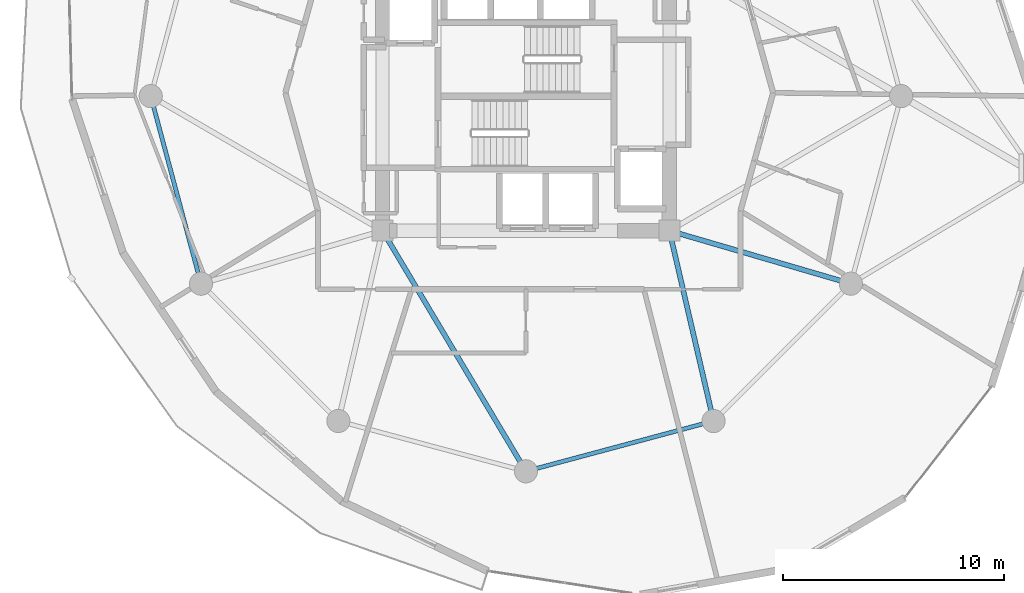
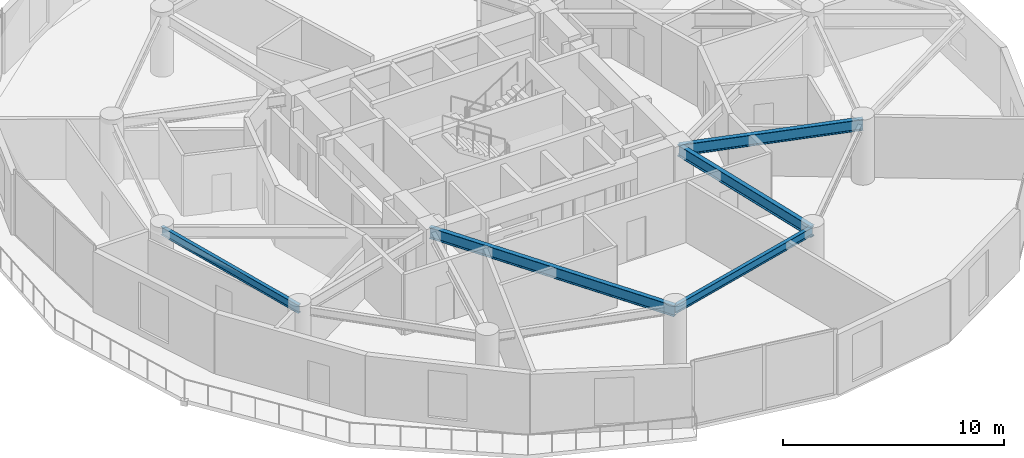
# One storey, part 3 of 20: 5 beams.
"""IFC4 building model written with IfcOpenShell, lengths in metres."""

from ifc_helpers import new_model, si_unit, direction, frame, origin, origin_2d, place, context, subcontext, project, spatial, i_section, extrude, material, material_profile, profile_set, type_object, element, save


model = new_model("IFC4")

# Units and contexts
model_context = context("Model", 3, precision=1e-05, world=origin(), true_north=direction((0.0, 1.0)))
body_context = subcontext(model_context, "Body", "Model", "MODEL_VIEW")
ifc_project = project(units=[si_unit("LENGTHUNIT", "METRE"), si_unit("AREAUNIT", "SQUARE_METRE"), si_unit("VOLUMEUNIT", "CUBIC_METRE"), si_unit("PLANEANGLEUNIT", "RADIAN"), si_unit("MASSUNIT", "GRAM", prefix="KILO")], contexts=[model_context])

# Site, building, storey
site_placement = place(None, origin())
site = spatial("IfcSite", under=ifc_project, at=site_placement, CompositionType="ELEMENT")
building_placement = place(site_placement, origin())
building = spatial("IfcBuilding", under=site, at=building_placement, Name="Solvirekh Grand Hotel", CompositionType="ELEMENT")
storey_placement = place(building_placement, frame((0.0, 0.0, 156.60009765625)))
storey = spatial("IfcBuildingStorey", under=building, at=storey_placement, Name="L40", CompositionType="ELEMENT", Elevation=156.60009765625)

# Beams
ifc_material = material(Name="Steel S355", Category="steel")
ifc_material_profile_1 = material_profile(ifc_material, i_section(OverallWidth=0.22802734375, OverallDepth=0.616943359375, WebThickness=0.012939453125, FlangeThickness=0.02001953125, FilletRadius=0.014892578125, at=origin_2d()), Name="W610X140")
ifc_profile_set_1 = profile_set([ifc_material_profile_1], Name="Steel S355")
beam_type_1 = type_object("IfcBeamType", Name="Beam_Radial_W610", PredefinedType="BEAM", material=ifc_profile_set_1)
beam_1_placement = place(storey_placement, frame((-6.5, -6.10009765625, 3.041015625), z_axis=(0.512179721377, -0.858878299301, 0.0), x_axis=(0.858878299301, 0.512179721377, 0.0)))
element("IfcBeam", 1, at=beam_1_placement, inside=storey, type_object=beam_type_1, Name="L40 radial floor beam R10", PredefinedType="BEAM", context=body_context, shape_type="SweptSolid", body=[
    extrude(i_section(OverallWidth=0.22802734375, OverallDepth=0.616943359375, WebThickness=0.012939453125, FlangeThickness=0.02001953125, FilletRadius=0.014892578125, at=origin_2d()), origin(), (0.0, 0.0, 1.0), 12.69091796875),
])
beam_2_placement = place(storey_placement, frame((6.5, -6.10009765625, 3.041015625), z_axis=(0.225969390542, -0.974134402707, 0.0), x_axis=(0.974134402707, 0.225969390542, 0.0)))
element("IfcBeam", 2, at=beam_2_placement, inside=storey, type_object=beam_type_1, Name="L40 radial floor beam R11", PredefinedType="BEAM", context=body_context, shape_type="SweptSolid", body=[
    extrude(i_section(OverallWidth=0.22802734375, OverallDepth=0.616943359375, WebThickness=0.012939453125, FlangeThickness=0.02001953125, FilletRadius=0.014892578125, at=origin_2d()), origin(), (0.0, 0.0, 1.0), 8.850830078125),
])
beam_3_placement = place(storey_placement, frame((6.5, -6.10009765625, 3.041015625), z_axis=(0.959942195467, -0.28019811092, 0.0), x_axis=(0.28019811092, 0.959942195467, 0.0)))
element("IfcBeam", 3, at=beam_3_placement, inside=storey, type_object=beam_type_1, Name="L40 radial floor beam R12", PredefinedType="BEAM", context=body_context, shape_type="SweptSolid", body=[
    extrude(i_section(OverallWidth=0.22802734375, OverallDepth=0.616943359375, WebThickness=0.012939453125, FlangeThickness=0.02001953125, FilletRadius=0.014892578125, at=origin_2d()), origin(), (0.0, 0.0, 1.0), 8.56494140625),
])
ifc_material_profile_2 = material_profile(ifc_material, i_section(OverallWidth=0.18994140625, OverallDepth=0.45703125, WebThickness=0.009033203125, FlangeThickness=0.013916015625, FilletRadius=0.012939453125, at=origin_2d()), Name="W460X74")
ifc_profile_set_2 = profile_set([ifc_material_profile_2], Name="Steel S355")
beam_type_2 = type_object("IfcBeamType", Name="Spandrel_Ring_W460", PredefinedType="SPANDREL", material=ifc_profile_set_2)
for number, where, z_axis, x_axis, name in (
    (4, (-17.0, 0.0, 3.120849609375), (0.258872908946, -0.965911391906, 0.0), (0.965911391906, 0.258872908946, 0.0), "L40 perimeter spandrel beam 7"),
    (5, (0.0, -17.0, 3.120849609375), (0.965911391906, 0.258872908946, 0.0), (-0.258872908946, 0.965911391906, 0.0), "L40 perimeter spandrel beam 10"),
):
    element("IfcBeam", number, at=place(storey_placement, frame(where, z_axis=z_axis, x_axis=x_axis)), inside=storey, type_object=beam_type_2, Name=name, PredefinedType="SPANDREL", context=body_context, shape_type="SweptSolid", body=[
        extrude(i_section(OverallWidth=0.18994140625, OverallDepth=0.45703125, WebThickness=0.009033203125, FlangeThickness=0.013916015625, FilletRadius=0.012939453125, at=origin_2d()), origin(), (0.0, 0.0, 1.0), 8.800048828125),
    ])

save(model, "model.ifc")
